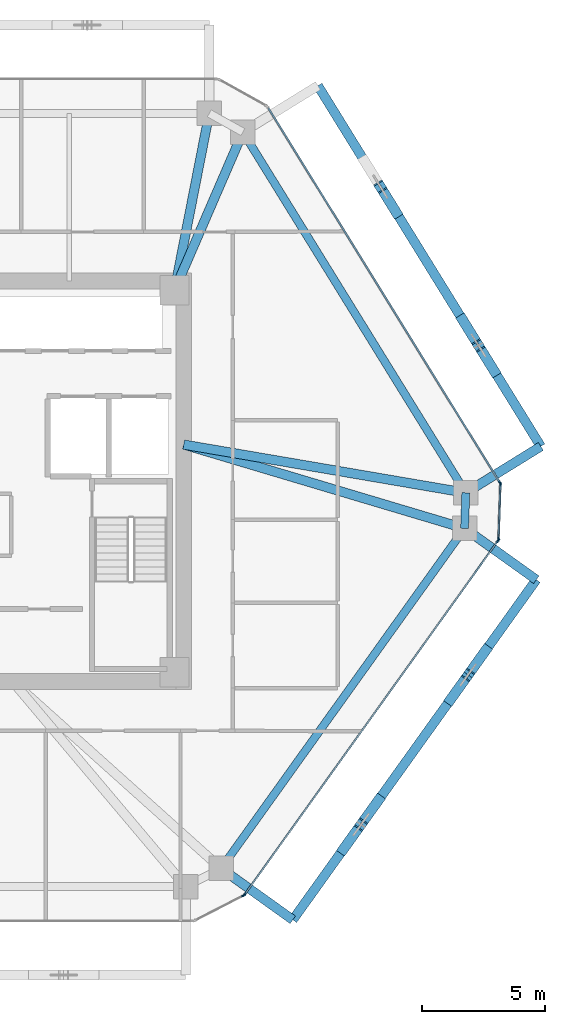
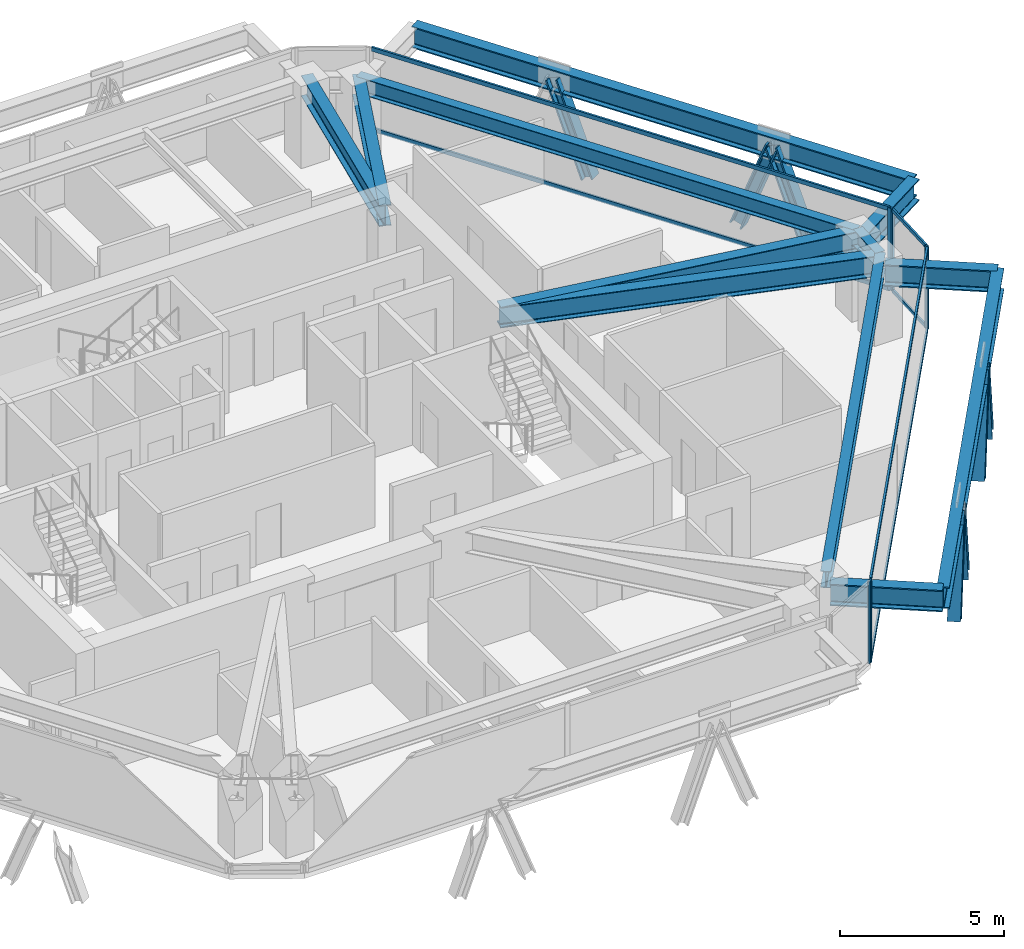
# One storey, part 5 of 14: 19 members, 12 beams, 4 elements without a shape of their own.
"""IFC4 building model written with IfcOpenShell, lengths in metres."""

from ifc_helpers import new_model, si_unit, direction, frame, origin, origin_2d, place, context, subcontext, project, spatial, rectangle, i_section, extrude, source, transform, mapped, material, layer, layer_set, material_profile, profile_set, type_object, type_shapes, element, aggregate, save


model = new_model("IFC4")

# Units and contexts
model_context = context("Model", 3, precision=1e-05, world=origin(), true_north=direction((0.0, 1.0)))
body_context = subcontext(model_context, "Body", "Model", "MODEL_VIEW")
ifc_project = project(units=[si_unit("LENGTHUNIT", "METRE"), si_unit("AREAUNIT", "SQUARE_METRE"), si_unit("VOLUMEUNIT", "CUBIC_METRE"), si_unit("PLANEANGLEUNIT", "RADIAN"), si_unit("MASSUNIT", "GRAM", prefix="KILO")], contexts=[model_context])

# Site, building, storey
site_placement = place(None, origin())
site = spatial("IfcSite", under=ifc_project, at=site_placement, CompositionType="ELEMENT")
building_placement = place(site_placement, origin())
building = spatial("IfcBuilding", under=site, at=building_placement, Name="Durnholm Broadcast Tower", CompositionType="ELEMENT")
storey_placement = place(building_placement, frame((0.0, 0.0, 180.39990234375)))
storey = spatial("IfcBuildingStorey", under=building, at=storey_placement, Name="L49", CompositionType="ELEMENT", Elevation=180.39990234375)

# Beams
ifc_material_1 = material(Name="Steel ASTM A992 Grade 50", Category="steel")
ifc_material_profile_1 = material_profile(ifc_material_1, i_section(OverallWidth=0.385009765625, OverallDepth=0.802978515625, WebThickness=0.023681640625, FlangeThickness=0.0419921875, FilletRadius=0.032958984375, at=origin_2d()), Name="W30X261")
ifc_profile_set_1 = profile_set([ifc_material_profile_1], Name="Steel ASTM A992 Grade 50")
beam_type_1 = type_object("IfcBeamType", Name="BM-EXO-TIE", PredefinedType="USERDEFINED", material=ifc_profile_set_1)
shared_shape_1 = source(origin(), body_context, "Body", "SweptSolid", [
    extrude(i_section(OverallWidth=0.385009765625, OverallDepth=0.802978515625, WebThickness=0.023681640625, FlangeThickness=0.0419921875, FilletRadius=0.032958984375, at=origin_2d()), origin(), (0.0, 0.0, 1.0), 3.4560546875),
])
for number, where, z_axis, x_axis, name in (
    (1, (11.81689453125, -15.884033203125, 2.30859375), (0.813079048773, -0.582153296346, 0.0), (0.582153296346, 0.813079048773, 0.0), "L49 exoskeleton stand-off tie bracket F2.1"),
    (2, (21.7548828125, -2.00341796875, 2.30859375), (0.813079048773, -0.582153296346, 0.0), (0.582153296346, 0.813079048773, 0.0), "L49 exoskeleton stand-off tie bracket F2.2"),
    (3, (21.8095703125, -0.3916015625, 2.30859375), (0.850662348375, 0.525712439512, 0.0), (-0.525712439512, 0.850662348375, 0.0), "L49 exoskeleton stand-off tie bracket F3.1"),
):
    element("IfcBeam", number, at=place(storey_placement, frame(where, z_axis=z_axis, x_axis=x_axis)), inside=storey, type_object=beam_type_1, Name=name, ObjectType="GIRDER", PredefinedType="USERDEFINED", context=body_context, shape_type="MappedRepresentation", body=[
        mapped(shared_shape_1, transform((0.0, 0.0, 0.0), x_axis=(1.0, 0.0, 0.0), y_axis=(0.0, 1.0, 0.0), z_axis=(0.0, 0.0, 1.0), scale=1.0)),
    ])
ifc_material_profile_2 = material_profile(ifc_material_1, i_section(OverallWidth=0.3251953125, OverallDepth=0.6162109375, WebThickness=0.013916015625, FlangeThickness=0.021484375, FilletRadius=0.02783203125, at=origin_2d()), Name="W24X117")
ifc_profile_set_2 = profile_set([ifc_material_profile_2], Name="Steel ASTM A992 Grade 50")
beam_type_2 = type_object("IfcBeamType", Name="STL-SP-W24X117", PredefinedType="SPANDREL", material=ifc_profile_set_2)
shared_shape_2 = source(origin(), body_context, "Body", "SweptSolid", [
    extrude(i_section(OverallWidth=0.3251953125, OverallDepth=0.6162109375, WebThickness=0.013916015625, FlangeThickness=0.021484375, FilletRadius=0.02783203125, at=origin_2d()), origin(), (0.0, 0.0, 1.0), 17.30322265625),
])
beam_1_placement = place(storey_placement, frame((12.5908203125, 14.252197265625, 2.737060546875), z_axis=(0.525691424148, -0.850675335588, 0.0), x_axis=(0.850675335588, 0.525691424148, 0.0)))
element("IfcBeam", 4, at=beam_1_placement, inside=storey, type_object=beam_type_2, Name="L49 perimeter spandrel girder 07", PredefinedType="SPANDREL", context=body_context, shape_type="MappedRepresentation", body=[
    mapped(shared_shape_2, transform((0.0, 0.0, 0.0), x_axis=(1.0, 0.0, 0.0), y_axis=(0.0, 1.0, 0.0), z_axis=(0.0, 0.0, 1.0), scale=1.0)),
])
shared_shape_3 = source(origin(), body_context, "Body", "SweptSolid", [
    extrude(i_section(OverallWidth=0.3251953125, OverallDepth=0.6162109375, WebThickness=0.013916015625, FlangeThickness=0.021484375, FilletRadius=0.02783203125, at=origin_2d()), origin(), (0.0, 0.0, 1.0), 1.453125),
])
beam_2_placement = place(storey_placement, frame((21.68701171875, -0.46728515625, 2.737060546875), z_axis=(-0.033767922326, -0.99942970109, 0.0), x_axis=(0.99942970109, -0.033767922326, 0.0)))
element("IfcBeam", 5, at=beam_2_placement, inside=storey, type_object=beam_type_2, Name="L49 perimeter spandrel girder 08", PredefinedType="SPANDREL", context=body_context, shape_type="MappedRepresentation", body=[
    mapped(shared_shape_3, transform((0.0, 0.0, 0.0), x_axis=(1.0, 0.0, 0.0), y_axis=(0.0, 1.0, 0.0), z_axis=(0.0, 0.0, 1.0), scale=1.0)),
])
shared_shape_4 = source(origin(), body_context, "Body", "SweptSolid", [
    extrude(i_section(OverallWidth=0.3251953125, OverallDepth=0.6162109375, WebThickness=0.013916015625, FlangeThickness=0.021484375, FilletRadius=0.02783203125, at=origin_2d()), origin(), (0.0, 0.0, 1.0), 17.071533203125),
])
type_shapes(beam_type_2, [shared_shape_2, shared_shape_3, shared_shape_4])
beam_3_placement = place(storey_placement, frame((21.637939453125, -1.919677734375, 2.737060546875), z_axis=(-0.582149612352, -0.813081686449, 0.0), x_axis=(0.813081686449, -0.582149612352, 0.0)))
element("IfcBeam", 6, at=beam_3_placement, inside=storey, type_object=beam_type_2, Name="L49 perimeter spandrel girder 09", PredefinedType="SPANDREL", context=body_context, shape_type="MappedRepresentation", body=[
    mapped(shared_shape_4, transform((0.0, 0.0, 0.0), x_axis=(1.0, 0.0, 0.0), y_axis=(0.0, 1.0, 0.0), z_axis=(0.0, 0.0, 1.0), scale=1.0)),
])
ifc_material_profile_3 = material_profile(ifc_material_1, i_section(OverallWidth=0.380615234375, OverallDepth=0.773193359375, WebThickness=0.0166015625, FlangeThickness=0.027099609375, FilletRadius=0.032958984375, at=origin_2d()), Name="W30X173")
ifc_profile_set_3 = profile_set([ifc_material_profile_3], Name="Steel ASTM A992 Grade 50")
beam_type_3 = type_object("IfcBeamType", Name="STL-GR-W30X173", PredefinedType="USERDEFINED", material=ifc_profile_set_3)
shared_shape_5 = source(origin(), body_context, "Body", "SweptSolid", [
    extrude(i_section(OverallWidth=0.380615234375, OverallDepth=0.773193359375, WebThickness=0.0166015625, FlangeThickness=0.027099609375, FilletRadius=0.032958984375, at=origin_2d()), origin(), (0.0, 0.0, 1.0), 7.35595703125),
])
beam_4_placement = place(storey_placement, frame((9.800048828125, 7.800048828125, 2.658447265625), z_axis=(0.192700221893, 0.981257674865, 0.0), x_axis=(-0.981257674865, 0.192700221893, 0.0)))
element("IfcBeam", 7, at=beam_4_placement, inside=storey, type_object=beam_type_3, Name="L49 radial primary floor girder 06", ObjectType="GIRDER", PredefinedType="USERDEFINED", context=body_context, shape_type="MappedRepresentation", body=[
    mapped(shared_shape_5, transform((0.0, 0.0, 0.0), x_axis=(1.0, 0.0, 0.0), y_axis=(0.0, 1.0, 0.0), z_axis=(0.0, 0.0, 1.0), scale=1.0)),
])
shared_shape_6 = source(origin(), body_context, "Body", "SweptSolid", [
    extrude(i_section(OverallWidth=0.380615234375, OverallDepth=0.773193359375, WebThickness=0.0166015625, FlangeThickness=0.027099609375, FilletRadius=0.032958984375, at=origin_2d()), origin(), (0.0, 0.0, 1.0), 7.02978515625),
])
beam_5_placement = place(storey_placement, frame((9.800048828125, 7.800048828125, 2.658447265625), z_axis=(0.396989434191, 0.91782317967, 0.0), x_axis=(-0.91782317967, 0.396989434191, 0.0)))
element("IfcBeam", 8, at=beam_5_placement, inside=storey, type_object=beam_type_3, Name="L49 radial primary floor girder 07", ObjectType="GIRDER", PredefinedType="USERDEFINED", context=body_context, shape_type="MappedRepresentation", body=[
    mapped(shared_shape_6, transform((0.0, 0.0, 0.0), x_axis=(1.0, 0.0, 0.0), y_axis=(0.0, 1.0, 0.0), z_axis=(0.0, 0.0, 1.0), scale=1.0)),
])
shared_shape_7 = source(origin(), body_context, "Body", "SweptSolid", [
    extrude(i_section(OverallWidth=0.385009765625, OverallDepth=0.802978515625, WebThickness=0.023681640625, FlangeThickness=0.0419921875, FilletRadius=0.032958984375, at=origin_2d()), origin(), (0.0, 0.0, 1.0), 17.071533203125),
])
beam_6_placement = place(storey_placement, frame((14.626953125, -17.89599609375, 2.30859375), z_axis=(0.582140157836, 0.813088455603, 0.0), x_axis=(-0.813088455603, 0.582140157836, 0.0)))
element("IfcBeam", 9, at=beam_6_placement, inside=storey, type_object=beam_type_1, Name="L49 exoskeleton collector spandrel F2", PredefinedType="SPANDREL", context=body_context, shape_type="MappedRepresentation", body=[
    mapped(shared_shape_7, transform((0.0, 0.0, 0.0), x_axis=(1.0, 0.0, 0.0), y_axis=(0.0, 1.0, 0.0), z_axis=(0.0, 0.0, 1.0), scale=1.0)),
])
shared_shape_8 = source(origin(), body_context, "Body", "SweptSolid", [
    extrude(i_section(OverallWidth=0.385009765625, OverallDepth=0.802978515625, WebThickness=0.023681640625, FlangeThickness=0.0419921875, FilletRadius=0.032958984375, at=origin_2d()), origin(), (0.0, 0.0, 1.0), 17.303466796875),
])
type_shapes(beam_type_1, [shared_shape_1, shared_shape_7, shared_shape_8])
beam_7_placement = place(storey_placement, frame((24.74951171875, 1.42529296875, 2.30859375), z_axis=(-0.525701634347, 0.850669025911, 0.0), x_axis=(-0.850669025911, -0.525701634347, 0.0)))
element("IfcBeam", 10, at=beam_7_placement, inside=storey, type_object=beam_type_1, Name="L49 exoskeleton collector spandrel F3", PredefinedType="SPANDREL", context=body_context, shape_type="MappedRepresentation", body=[
    mapped(shared_shape_8, transform((0.0, 0.0, 0.0), x_axis=(1.0, 0.0, 0.0), y_axis=(0.0, 1.0, 0.0), z_axis=(0.0, 0.0, 1.0), scale=1.0)),
])
shared_shape_9 = source(origin(), body_context, "Body", "SweptSolid", [
    extrude(i_section(OverallWidth=0.380615234375, OverallDepth=0.773193359375, WebThickness=0.0166015625, FlangeThickness=0.027099609375, FilletRadius=0.032958984375, at=origin_2d()), origin(), (0.0, 0.0, 1.0), 11.678955078125),
])
beam_8_placement = place(storey_placement, frame((10.175048828125, 1.5, 2.658447265625), z_axis=(0.985710446264, -0.168448556317, 0.0), x_axis=(0.168448556317, 0.985710446264, 0.0)))
element("IfcBeam", 11, at=beam_8_placement, inside=storey, type_object=beam_type_3, Name="L49 radial primary floor girder 08", ObjectType="GIRDER", PredefinedType="USERDEFINED", context=body_context, shape_type="MappedRepresentation", body=[
    mapped(shared_shape_9, transform((0.0, 0.0, 0.0), x_axis=(1.0, 0.0, 0.0), y_axis=(0.0, 1.0, 0.0), z_axis=(0.0, 0.0, 1.0), scale=1.0)),
])
shared_shape_10 = source(origin(), body_context, "Body", "SweptSolid", [
    extrude(i_section(OverallWidth=0.380615234375, OverallDepth=0.773193359375, WebThickness=0.0166015625, FlangeThickness=0.027099609375, FilletRadius=0.032958984375, at=origin_2d()), origin(), (0.0, 0.0, 1.0), 11.962158203125),
])
type_shapes(beam_type_3, [shared_shape_5, shared_shape_6, shared_shape_9, shared_shape_10])
beam_9_placement = place(storey_placement, frame((10.175048828125, 1.5, 2.658447265625), z_axis=(0.958266673737, -0.285875815706, 0.0), x_axis=(0.285875815706, 0.958266673737, 0.0)))
element("IfcBeam", 12, at=beam_9_placement, inside=storey, type_object=beam_type_3, Name="L49 radial primary floor girder 09", ObjectType="GIRDER", PredefinedType="USERDEFINED", context=body_context, shape_type="MappedRepresentation", body=[
    mapped(shared_shape_10, transform((0.0, 0.0, 0.0), x_axis=(1.0, 0.0, 0.0), y_axis=(0.0, 1.0, 0.0), z_axis=(0.0, 0.0, 1.0), scale=1.0)),
])

# Members
ifc_material_2 = material(Name="Steel ASTM A913 Grade 65", Category="steel")
ifc_material_profile_4 = material_profile(ifc_material_2, i_section(OverallWidth=0.412109375, OverallDepth=0.434814453125, WebThickness=0.035888671875, FlangeThickness=0.057373046875, FilletRadius=0.030517578125, at=origin_2d()), Name="W14X311")
ifc_profile_set_4 = profile_set([ifc_material_profile_4], Name="Steel ASTM A913 Grade 65")
member_type_1 = type_object("IfcMemberType", Name="STL-DG-W14X311", PredefinedType="BRACE", material=ifc_profile_set_4)
shared_shape_11 = source(origin(), body_context, "Body", "SweptSolid", [
    extrude(i_section(OverallWidth=0.412109375, OverallDepth=0.434814453125, WebThickness=0.035888671875, FlangeThickness=0.057373046875, FilletRadius=0.030517578125, at=origin_2d()), origin(), (0.0, 0.0, 1.0), 3.523193359375),
])
for number, where, z_axis, x_axis, name in (
    (13, (16.69140625, -15.0126953125, -0.991455078125), (0.203869234398, 0.284737826017, 0.936675880815), (-0.813077820009, 0.582155012526, 0.0), "L49 stand-off diagrid brace F2.D1.1"),
    (14, (18.1279296875, -13.00634765625, -0.991455078125), (-0.203869234398, -0.284737826017, 0.936675880815), (0.813077820009, -0.582155012526, 0.0), "L49 stand-off diagrid brace F2.D1.2"),
    (15, (21.064208984375, -8.905029296875, -0.991455078125), (0.203869234398, 0.284737826017, 0.936675880815), (-0.813077820009, 0.582155012526, 0.0), "L49 stand-off diagrid brace F2.D2.1"),
    (16, (22.50048828125, -6.898681640625, -0.991455078125), (-0.203802816986, -0.284741848009, 0.936689111595), (0.813171482985, -0.58202417412, 0.0), "L49 stand-off diagrid brace F2.D2.2"),
    (17, (22.85107421875, 4.497314453125, -0.991455078125), (-0.18411903749, 0.297902800967, 0.936671821509), (-0.850644447398, -0.525741404219, 0.0), "L49 stand-off diagrid brace F3.D1.1"),
):
    element("IfcMember", number, at=place(storey_placement, frame(where, z_axis=z_axis, x_axis=x_axis)), inside=storey, type_object=member_type_1, Name=name, PredefinedType="BRACE", context=body_context, shape_type="MappedRepresentation", body=[
        mapped(shared_shape_11, transform((0.0, 0.0, 0.0), x_axis=(1.0, 0.0, 0.0), y_axis=(0.0, 1.0, 0.0), z_axis=(0.0, 0.0, 1.0), scale=1.0)),
    ])
shared_shape_12 = source(origin(), body_context, "Body", "SweptSolid", [
    extrude(i_section(OverallWidth=0.412109375, OverallDepth=0.434814453125, WebThickness=0.035888671875, FlangeThickness=0.057373046875, FilletRadius=0.030517578125, at=origin_2d()), origin(), (0.0, 0.0, 1.0), 3.52294921875),
])
type_shapes(member_type_1, [shared_shape_11, shared_shape_12])
for number, where, z_axis, x_axis, name in (
    (18, (21.553955078125, 6.59619140625, -0.991455078125), (0.184055888727, -0.297843452465, 0.936703105391), (0.85067825406, 0.525686701439, 0.0), "L49 stand-off diagrid brace F3.D1.2"),
    (19, (18.8486328125, 10.973876953125, -0.991455078125), (-0.184055888727, 0.297843452465, 0.936703105391), (-0.85067825406, -0.525686701439, 0.0), "L49 stand-off diagrid brace F3.D2.1"),
):
    element("IfcMember", number, at=place(storey_placement, frame(where, z_axis=z_axis, x_axis=x_axis)), inside=storey, type_object=member_type_1, Name=name, PredefinedType="BRACE", context=body_context, shape_type="MappedRepresentation", body=[
        mapped(shared_shape_12, transform((0.0, 0.0, 0.0), x_axis=(1.0, 0.0, 0.0), y_axis=(0.0, 1.0, 0.0), z_axis=(0.0, 0.0, 1.0), scale=1.0)),
    ])

# Curtain wall, members
ifc_material_3 = material(Name="Aluminium and Solar Control IGU", Category="aluminium")
ifc_layer_1 = layer(ifc_material_3, 0.1650390625)
ifc_layer_set_1 = layer_set([ifc_layer_1], Name="Aluminium and Solar Control IGU")
curtain_wall_type_1 = type_object("IfcCurtainWallType", Name="CW-SYS-5", PredefinedType="NOTDEFINED", material=ifc_layer_set_1)
curtain_wall_1_placement = place(storey_placement, origin())
curtain_wall_1 = element("IfcCurtainWall", 20, at=curtain_wall_1_placement, inside=storey, type_object=curtain_wall_type_1, Name="L49 curtain wall CW-CORNER CW-L49-CRN-07", PredefinedType="NOTDEFINED")
ifc_material_4 = material(Name="Aluminium 6063-T6", Category="aluminium")
ifc_material_profile_5 = material_profile(ifc_material_4, rectangle(XDim=0.06494140625, YDim=0.1650390625, at=origin_2d()), Name="CWM65X165")
ifc_profile_set_5 = profile_set([ifc_material_profile_5], Name="Aluminium 6063-T6")
member_type_2 = type_object("IfcMemberType", Name="CW-SYS-5-MUL", PredefinedType="MULLION", material=ifc_profile_set_5)
shared_shape_13 = source(origin(), body_context, "Body", "SweptSolid", [
    extrude(rectangle(XDim=0.06494140625, YDim=0.1650390625, at=origin_2d()), origin(), (0.0, 0.0, 1.0), 3.06005859375),
])
type_shapes(member_type_2, [shared_shape_13])
member_1_placement = place(storey_placement, frame((23.099609375, -0.1240234375, 0.0), z_axis=(0.0, 0.0, 1.0), x_axis=(0.999424798802, -0.033912704699, 0.0)))
member_1 = element("IfcMember", 21, at=member_1_placement, type_object=member_type_2, Name="CW-CORNER mullion 1", PredefinedType="MULLION", context=body_context, shape_type="MappedRepresentation", body=[
    mapped(shared_shape_13, transform((0.0, 0.0, 0.0), x_axis=(1.0, 0.0, 0.0), y_axis=(0.0, 1.0, 0.0), z_axis=(0.0, 0.0, 1.0), scale=1.0)),
])
member_2_placement = place(storey_placement, frame((23.023681640625, -2.35791015625, 0.0), z_axis=(0.0, 0.0, 1.0), x_axis=(0.999424798802, -0.033912704699, 0.0)))
member_2 = element("IfcMember", 22, at=member_2_placement, type_object=member_type_2, Name="CW-CORNER mullion 2", PredefinedType="MULLION", context=body_context, shape_type="MappedRepresentation", body=[
    mapped(shared_shape_13, transform((0.0, 0.0, 0.0), x_axis=(1.0, 0.0, 0.0), y_axis=(0.0, 1.0, 0.0), z_axis=(0.0, 0.0, 1.0), scale=1.0)),
])

# Curtain wall, member
curtain_wall_2_placement = place(storey_placement, origin())
curtain_wall_2 = element("IfcCurtainWall", 23, at=curtain_wall_2_placement, inside=storey, type_object=curtain_wall_type_1, Name="L49 curtain wall CW-CORNER CW-L49-CRN-09", PredefinedType="NOTDEFINED")
member_3_placement = place(storey_placement, frame((12.612060546875, -16.905517578125, 0.0), z_axis=(0.0, 0.0, 1.0), x_axis=(0.457081764476, -0.889424679545, 0.0)))
member_3 = element("IfcMember", 24, at=member_3_placement, type_object=member_type_2, Name="CW-CORNER mullion 1", PredefinedType="MULLION", context=body_context, shape_type="MappedRepresentation", body=[
    mapped(shared_shape_13, transform((0.0, 0.0, 0.0), x_axis=(1.0, 0.0, 0.0), y_axis=(0.0, 1.0, 0.0), z_axis=(0.0, 0.0, 1.0), scale=1.0)),
])
aggregate(curtain_wall_2, [member_3])

# Member
ifc_material_profile_6 = material_profile(ifc_material_4, rectangle(XDim=0.06494140625, YDim=0.1298828125, at=origin_2d()), Name="CWT65X130")
ifc_profile_set_6 = profile_set([ifc_material_profile_6], Name="Aluminium 6063-T6")
member_type_3 = type_object("IfcMemberType", Name="CW-SYS-5-TRN", PredefinedType="USERDEFINED", material=ifc_profile_set_6)
shared_shape_14 = source(origin(), body_context, "Body", "SweptSolid", [
    extrude(rectangle(XDim=0.06494140625, YDim=0.1298828125, at=origin_2d()), origin(), (0.0, 0.0, 1.0), 2.170166015625),
])
type_shapes(member_type_3, [shared_shape_14])
member_4_placement = place(storey_placement, frame((23.098388671875, -0.156494140625, 0.03271484375), z_axis=(-0.033861704743, -0.999426528041, 0.0), x_axis=(0.999426528041, -0.033861704743, 0.0)))
member_4 = element("IfcMember", 25, at=member_4_placement, type_object=member_type_3, Name="CW-CORNER transom 1.1", ObjectType="TRANSOM", PredefinedType="USERDEFINED", context=body_context, shape_type="MappedRepresentation", body=[
    mapped(shared_shape_14, transform((0.0, 0.0, 0.0), x_axis=(1.0, 0.0, 0.0), y_axis=(0.0, 1.0, 0.0), z_axis=(0.0, 0.0, 1.0), scale=1.0)),
])

member_5_placement = place(storey_placement, frame((23.098388671875, -0.156494140625, 3.027587890625), z_axis=(-0.033861704743, -0.999426528041, 0.0), x_axis=(0.999426528041, -0.033861704743, 0.0)))
member_5 = element("IfcMember", 26, at=member_5_placement, type_object=member_type_3, Name="CW-CORNER transom 1.2", ObjectType="TRANSOM", PredefinedType="USERDEFINED", context=body_context, shape_type="MappedRepresentation", body=[
    mapped(shared_shape_14, transform((0.0, 0.0, 0.0), x_axis=(1.0, 0.0, 0.0), y_axis=(0.0, 1.0, 0.0), z_axis=(0.0, 0.0, 1.0), scale=1.0)),
])

aggregate(curtain_wall_1, [member_1, member_2, member_4, member_5])

# Curtain wall, members
ifc_layer_2 = layer(ifc_material_3, 0.18994140625)
ifc_layer_set_2 = layer_set([ifc_layer_2], Name="Aluminium and Solar Control IGU")
curtain_wall_type_2 = type_object("IfcCurtainWallType", Name="CW-SYS-4", PredefinedType="NOTDEFINED", material=ifc_layer_set_2)
curtain_wall_3_placement = place(storey_placement, origin())
curtain_wall_3 = element("IfcCurtainWall", 27, at=curtain_wall_3_placement, inside=storey, type_object=curtain_wall_type_2, Name="L49 curtain wall CW-Z34-VIS CW-L49-F06", PredefinedType="NOTDEFINED")
ifc_material_profile_7 = material_profile(ifc_material_4, rectangle(XDim=0.070068359375, YDim=0.14990234375, at=origin_2d()), Name="CWT70X150")
ifc_profile_set_7 = profile_set([ifc_material_profile_7], Name="Aluminium 6063-T6")
member_type_4 = type_object("IfcMemberType", Name="CW-SYS-4-TRN", PredefinedType="USERDEFINED", material=ifc_profile_set_7)
shared_shape_15 = source(origin(), body_context, "Body", "SweptSolid", [
    extrude(rectangle(XDim=0.070068359375, YDim=0.14990234375, at=origin_2d()), origin(), (0.0, 0.0, 1.0), 17.950927734375),
])
member_6_placement = place(storey_placement, frame((13.627197265625, 15.23828125, 0.03515625), z_axis=(0.525699895853, -0.850670100274, 0.0), x_axis=(0.850670100274, 0.525699895853, 0.0)))
member_6 = element("IfcMember", 28, at=member_6_placement, type_object=member_type_4, Name="CW-Z34-VIS transom 1.1", ObjectType="TRANSOM", PredefinedType="USERDEFINED", context=body_context, shape_type="MappedRepresentation", body=[
    mapped(shared_shape_15, transform((0.0, 0.0, 0.0), x_axis=(1.0, 0.0, 0.0), y_axis=(0.0, 1.0, 0.0), z_axis=(0.0, 0.0, 1.0), scale=1.0)),
])
member_7_placement = place(storey_placement, frame((13.627197265625, 15.23828125, 3.025146484375), z_axis=(0.525699895853, -0.850670100274, 0.0), x_axis=(0.850670100274, 0.525699895853, 0.0)))
member_7 = element("IfcMember", 29, at=member_7_placement, type_object=member_type_4, Name="CW-Z34-VIS transom 1.2", ObjectType="TRANSOM", PredefinedType="USERDEFINED", context=body_context, shape_type="MappedRepresentation", body=[
    mapped(shared_shape_15, transform((0.0, 0.0, 0.0), x_axis=(1.0, 0.0, 0.0), y_axis=(0.0, 1.0, 0.0), z_axis=(0.0, 0.0, 1.0), scale=1.0)),
])

curtain_wall_4_placement = place(storey_placement, origin())
curtain_wall_4 = element("IfcCurtainWall", 30, at=curtain_wall_4_placement, inside=storey, type_object=curtain_wall_type_2, Name="L49 curtain wall CW-Z34-VIS CW-L49-F08", PredefinedType="NOTDEFINED")
shared_shape_16 = source(origin(), body_context, "Body", "SweptSolid", [
    extrude(rectangle(XDim=0.070068359375, YDim=0.14990234375, at=origin_2d()), origin(), (0.0, 0.0, 1.0), 17.693603515625),
])
type_shapes(member_type_4, [shared_shape_15, shared_shape_16])
member_8_placement = place(storey_placement, frame((22.98193359375, -2.447265625, 0.03515625), z_axis=(-0.582144969277, -0.813085010774, 0.0), x_axis=(0.813085010774, -0.582144969277, 0.0)))
member_8 = element("IfcMember", 31, at=member_8_placement, type_object=member_type_4, Name="CW-Z34-VIS transom 1.1", ObjectType="TRANSOM", PredefinedType="USERDEFINED", context=body_context, shape_type="MappedRepresentation", body=[
    mapped(shared_shape_16, transform((0.0, 0.0, 0.0), x_axis=(1.0, 0.0, 0.0), y_axis=(0.0, 1.0, 0.0), z_axis=(0.0, 0.0, 1.0), scale=1.0)),
])
member_9_placement = place(storey_placement, frame((22.98193359375, -2.447265625, 3.025146484375), z_axis=(-0.582144969277, -0.813085010774, 0.0), x_axis=(0.813085010774, -0.582144969277, 0.0)))
member_9 = element("IfcMember", 32, at=member_9_placement, type_object=member_type_4, Name="CW-Z34-VIS transom 1.2", ObjectType="TRANSOM", PredefinedType="USERDEFINED", context=body_context, shape_type="MappedRepresentation", body=[
    mapped(shared_shape_16, transform((0.0, 0.0, 0.0), x_axis=(1.0, 0.0, 0.0), y_axis=(0.0, 1.0, 0.0), z_axis=(0.0, 0.0, 1.0), scale=1.0)),
])

# Member
ifc_material_profile_8 = material_profile(ifc_material_4, rectangle(XDim=0.070068359375, YDim=0.18994140625, at=origin_2d()), Name="CWM70X190")
ifc_profile_set_8 = profile_set([ifc_material_profile_8], Name="Aluminium 6063-T6")
member_type_5 = type_object("IfcMemberType", Name="CW-SYS-4-MUL", PredefinedType="MULLION", material=ifc_profile_set_8)
shared_shape_17 = source(origin(), body_context, "Body", "SweptSolid", [
    extrude(rectangle(XDim=0.070068359375, YDim=0.18994140625, at=origin_2d()), origin(), (0.0, 0.0, 1.0), 3.06005859375),
])
type_shapes(member_type_5, [shared_shape_17])
member_10_placement = place(storey_placement, frame((23.082275390625, -0.061767578125, 0.0), z_axis=(0.0, 0.0, 1.0), x_axis=(0.850671426092, 0.525697750452, 0.0)))
member_10 = element("IfcMember", 33, at=member_10_placement, type_object=member_type_5, Name="CW-Z34-VIS mullion 2", PredefinedType="MULLION", context=body_context, shape_type="MappedRepresentation", body=[
    mapped(shared_shape_17, transform((0.0, 0.0, 0.0), x_axis=(1.0, 0.0, 0.0), y_axis=(0.0, 1.0, 0.0), z_axis=(0.0, 0.0, 1.0), scale=1.0)),
])

aggregate(curtain_wall_3, [member_10, member_6, member_7])

member_11_placement = place(storey_placement, frame((23.00244140625, -2.418701171875, 0.0), z_axis=(0.0, 0.0, 1.0), x_axis=(0.813089262696, -0.582139030549, 0.0)))
member_11 = element("IfcMember", 34, at=member_11_placement, type_object=member_type_5, Name="CW-Z34-VIS mullion 1", PredefinedType="MULLION", context=body_context, shape_type="MappedRepresentation", body=[
    mapped(shared_shape_17, transform((0.0, 0.0, 0.0), x_axis=(1.0, 0.0, 0.0), y_axis=(0.0, 1.0, 0.0), z_axis=(0.0, 0.0, 1.0), scale=1.0)),
])

member_12_placement = place(storey_placement, frame((12.661376953125, -16.8623046875, 0.0), z_axis=(0.0, 0.0, 1.0), x_axis=(0.813089262696, -0.582139030549, 0.0)))
member_12 = element("IfcMember", 35, at=member_12_placement, type_object=member_type_5, Name="CW-Z34-VIS mullion 2", PredefinedType="MULLION", context=body_context, shape_type="MappedRepresentation", body=[
    mapped(shared_shape_17, transform((0.0, 0.0, 0.0), x_axis=(1.0, 0.0, 0.0), y_axis=(0.0, 1.0, 0.0), z_axis=(0.0, 0.0, 1.0), scale=1.0)),
])

aggregate(curtain_wall_4, [member_11, member_12, member_8, member_9])

save(model, "model.ifc")
